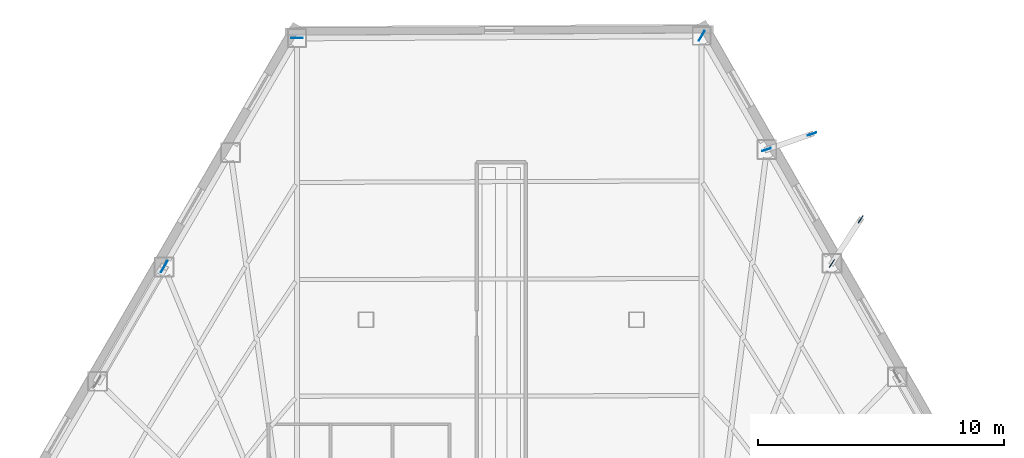
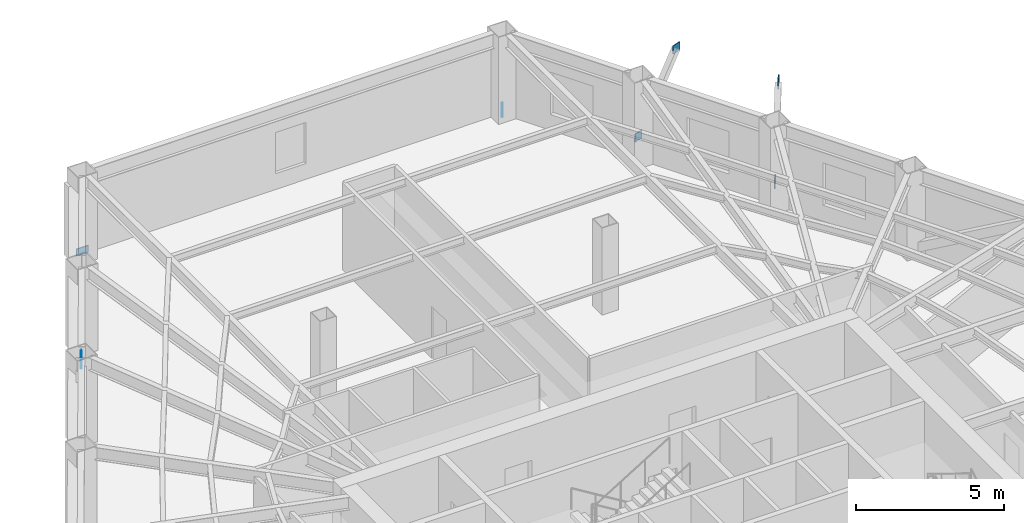
# One storey, part 7 of 12: 7 plates.
"""IFC4 building model written with IfcOpenShell, lengths in metres."""

import ifcopenshell
import ifcopenshell.guid

model = None  # the IFC model being written
_history = None  # IfcOwnerHistory: only IFC2X3 demands one
_inside = {}  # id of a spatial element -> (the spatial element, [elements in it])
_under = {}  # id of a project, library or spatial element -> (it, [spatial elements below it])
_declared = {}  # id of a project -> (the project, [libraries it declares])
_typed = {}  # id of a type object -> (the type object, [elements of that type])
_made_of = {}  # id of a material, layer set ... -> (it, [elements and type objects made of it])


def new_model(schema):
    """Start an empty IFC model of exactly this schema.

    Asked for "IFC4X3", IfcOpenShell would pick the latest addendum, in which some entities
    have other attributes; the version numbers below select the first issue.
    IFC2X3 requires an IfcOwnerHistory on every rooted entity: one is made here for all.
    """
    global model, _history
    if schema == "IFC4X3":
        model = ifcopenshell.file(schema_version=(4, 3, 0, 0))
    else:
        model = ifcopenshell.file(schema=schema)
    _inside.clear()
    _under.clear()
    _declared.clear()
    _typed.clear()
    _made_of.clear()
    _history = None
    if model.schema == "IFC2X3":
        org = make("IfcOrganization", Name="unknown")
        user = make(
            "IfcPersonAndOrganization",
            ThePerson=make("IfcPerson", FamilyName="unknown"),
            TheOrganization=org,
        )
        app = make(
            "IfcApplication",
            ApplicationDeveloper=org,
            Version="unknown",
            ApplicationFullName="unknown",
            ApplicationIdentifier="unknown",
        )
        _history = make(
            "IfcOwnerHistory",
            OwningUser=user,
            OwningApplication=app,
            ChangeAction="ADDED",
            CreationDate=0,
        )
    return model


def make(cls, **values):
    """One entity of the class cls with the attributes given. An attribute that is None is left unset."""
    return model.create_entity(
        cls, **{name: value for name, value in values.items() if value is not None}
    )


def rooted(cls, **values):
    """An entity with a GlobalId (a new one), such as an element, a storey or a relation."""
    return make(cls, GlobalId=ifcopenshell.guid.new(), OwnerHistory=_history, **values)


def si_unit(unit_type, name, prefix=None):
    """IfcSIUnit, for example si_unit("LENGTHUNIT", "METRE", prefix="MILLI")."""
    return make("IfcSIUnit", UnitType=unit_type, Prefix=prefix, Name=name)


def assignment(units):
    """IfcUnitAssignment: the units of a project."""
    return None if units is None else make("IfcUnitAssignment", Units=units)


def point(xyz):
    """IfcCartesianPoint."""
    return None if xyz is None else make("IfcCartesianPoint", Coordinates=xyz)


def direction(xyz):
    """IfcDirection."""
    return None if xyz is None else make("IfcDirection", DirectionRatios=xyz)


def frame(location, z_axis=None, x_axis=None):
    """IfcAxis2Placement3D, a coordinate frame: its origin and axes. An axis left out is left unset."""
    return make(
        "IfcAxis2Placement3D",
        Location=point(location),
        Axis=direction(z_axis),
        RefDirection=direction(x_axis),
    )


def frame_2d(location, x_axis=None):
    """IfcAxis2Placement2D, a coordinate frame in the plane: its origin and x axis."""
    return make(
        "IfcAxis2Placement2D", Location=point(location), RefDirection=direction(x_axis)
    )


def origin():
    """The frame at (0, 0, 0) with its axes left unset."""
    return frame((0.0, 0.0, 0.0))


def origin_2d():
    """The frame at (0, 0) in the plane with its x axis left unset."""
    return frame_2d((0.0, 0.0))


def place(relative_to, where):
    """IfcLocalPlacement: puts the frame where relative to a parent placement (None: the world)."""
    return make(
        "IfcLocalPlacement", PlacementRelTo=relative_to, RelativePlacement=where
    )


def context(
    kind, dimensions, precision=None, world=None, true_north=None, identifier=None
):
    """IfcGeometricRepresentationContext, for example the 3D "Model" context."""
    return make(
        "IfcGeometricRepresentationContext",
        ContextIdentifier=identifier,
        ContextType=kind,
        CoordinateSpaceDimension=dimensions,
        Precision=precision,
        WorldCoordinateSystem=world,
        TrueNorth=true_north,
    )


def subcontext(parent, identifier, kind, view, scale=None):
    """IfcGeometricRepresentationSubContext, for example "Body" below "Model"."""
    return make(
        "IfcGeometricRepresentationSubContext",
        ContextIdentifier=identifier,
        ContextType=kind,
        ParentContext=parent,
        TargetScale=scale,
        TargetView=view,
    )


def project(units=None, contexts=None):
    """IfcProject with its units and contexts."""
    return rooted(
        "IfcProject",
        Name="project",
        RepresentationContexts=contexts,
        UnitsInContext=assignment(units),
    )


def spatial(cls, under=None, at=None, **own):
    """A site, building, storey or space (cls), placed at a placement, below another one or the project."""
    s = rooted(cls, ObjectPlacement=at, **own)
    if under is not None:
        _under.setdefault(under.id(), (under, []))[1].append(s)
    return s


def profile(cls, at=None, kind="AREA", **sizes):
    """A parametric profile (cls). Its sizes go by their IFC names, for example OverallWidth=200.0."""
    return make(cls, ProfileType=kind, Position=at, **sizes)


def rectangle(**sizes):
    """IfcRectangleProfileDef."""
    return profile("IfcRectangleProfileDef", **sizes)


def extrude(swept, where, along, depth):
    """IfcExtrudedAreaSolid: the profile swept, set in the frame where, extruded along a direction by depth."""
    return make(
        "IfcExtrudedAreaSolid",
        SweptArea=swept,
        Position=where,
        ExtrudedDirection=direction(along),
        Depth=depth,
    )


def shape(context_of_items, identifier, shape_type, items):
    """IfcShapeRepresentation: the items that make up one representation, for example the "Body"."""
    return make(
        "IfcShapeRepresentation",
        ContextOfItems=context_of_items,
        RepresentationIdentifier=identifier,
        RepresentationType=shape_type,
        Items=items,
    )


def material(Name=None, Category=None):
    """IfcMaterial."""
    return make("IfcMaterial", Name=Name, Category=Category)


def layer(
    of_material, thickness, ventilated=None, Name=None, Category=None, Priority=None
):
    """IfcMaterialLayer: one layer of a wall or slab, of a material (None: an air gap)."""
    return make(
        "IfcMaterialLayer",
        Material=of_material,
        LayerThickness=thickness,
        IsVentilated=ventilated,
        Name=Name,
        Category=Category,
        Priority=Priority,
    )


def layer_set(layers, Name=None):
    """IfcMaterialLayerSet."""
    return make("IfcMaterialLayerSet", MaterialLayers=layers, LayerSetName=Name)


def made_of(thing, what):
    """Note that an element or type object is made of a material, layer set ...; save() writes the relation."""
    if what is not None:
        _made_of.setdefault(what.id(), (what, []))[1].append(thing)
    return thing


def type_object(cls, material=None, **own):
    """A type object (cls), such as IfcWallType, which elements share."""
    return made_of(rooted(cls, **own), material)


def element(
    cls,
    number,
    at=None,
    inside=None,
    cuts=None,
    type_object=None,
    material=None,
    context=None,
    identifier="Body",
    shape_type=None,
    held_by="IfcProductDefinitionShape",
    body=None,
    shapes=None,
    **own,
):
    """One element of the class cls, such as IfcWall. Its Tag is "e" and its number.

    at: its placement. inside: the storey or other place that contains it. cuts: it is an
    opening in that element (IfcRelVoidsElement). A single representation is given by context,
    identifier, shape_type and body (its items); several are given by shapes. held_by: the class
    of the entity that holds the representations. save() writes the other relations.
    """
    e = rooted(cls, Tag="e%d" % number, ObjectPlacement=at, **own)
    if body is not None:
        shapes = [shape(context, identifier, shape_type, body)]
    if shapes is not None:
        e.Representation = make(held_by, Representations=shapes)
    if inside is not None:
        _inside.setdefault(inside.id(), (inside, []))[1].append(e)
    if cuts is not None:
        rooted(
            "IfcRelVoidsElement", RelatingBuildingElement=cuts, RelatedOpeningElement=e
        )
    if type_object is not None:
        _typed.setdefault(type_object.id(), (type_object, []))[1].append(e)
    return made_of(e, material)


def aggregate(whole, parts):
    """IfcRelAggregates: a whole, such as a stair, and the parts it consists of."""
    return rooted("IfcRelAggregates", RelatingObject=whole, RelatedObjects=parts)


def save(model, path):
    """Write the relations noted so far, then the file.

    IfcRelAggregates (storeys below a building ...), IfcRelContainedInSpatialStructure (elements
    in a storey), IfcRelDefinesByType, IfcRelAssociatesMaterial and IfcRelDeclares: one each for
    every whole, place, type object, material and project.
    """
    for whole, parts in _under.values():
        aggregate(whole, parts)
    for where, things in _inside.values():
        rooted(
            "IfcRelContainedInSpatialStructure",
            RelatedElements=things,
            RelatingStructure=where,
        )
    for kind, things in _typed.values():
        rooted("IfcRelDefinesByType", RelatedObjects=things, RelatingType=kind)
    for what, things in _made_of.values():
        rooted("IfcRelAssociatesMaterial", RelatedObjects=things, RelatingMaterial=what)
    for by, libraries in _declared.values():
        rooted("IfcRelDeclares", RelatingContext=by, RelatedDefinitions=libraries)
    model.write(path)


model = new_model("IFC4")

# Units and contexts
model_context = context("Model", 3, precision=1e-05, world=origin(), true_north=direction((0.0, 1.0)))
body_context = subcontext(model_context, "Body", "Model", "MODEL_VIEW")
ifc_project = project(units=[si_unit("LENGTHUNIT", "METRE"), si_unit("AREAUNIT", "SQUARE_METRE"), si_unit("VOLUMEUNIT", "CUBIC_METRE"), si_unit("PLANEANGLEUNIT", "RADIAN"), si_unit("MASSUNIT", "GRAM", prefix="KILO")], contexts=[model_context])

# Site, building, storey
site_placement = place(None, origin())
site = spatial("IfcSite", under=ifc_project, at=site_placement, CompositionType="ELEMENT")
building_placement = place(site_placement, origin())
building = spatial("IfcBuilding", under=site, at=building_placement, Name="Kavelnor Concourse Tower", CompositionType="ELEMENT")
storey_placement = place(building_placement, frame((0.0, 0.0, 6.0)))
storey = spatial("IfcBuildingStorey", under=building, at=storey_placement, Name="L01", CompositionType="ELEMENT", Elevation=6.0)

# Plates
ifc_material = material(Name="Steel Grade 350", Category="steel")
ifc_layer_1 = layer(ifc_material, 0.028076171875, Name="Steel Grade 350")
ifc_layer_set_1 = layer_set([ifc_layer_1], Name="Steel Grade 350")
plate_type_1 = type_object("IfcPlateType", Name="PL-GUSSET-FOLD", PredefinedType="USERDEFINED", material=ifc_layer_set_1)
for number, where, z_axis, x_axis, name in (
    (1, (29.694580078125, 43.248779296875, 0.10009765625), (0.0, 0.0, 1.0), (1.0, 0.0, 0.0), "L01 Herringbone Corner-Fold Kink Gusset Plate F0-B0"),
    (2, (46.144775390625, 43.338623046875, 0.10009765625), (0.0, 0.0, 1.0), (-0.5, -0.866025403784, 0.0), "L01 Herringbone Corner-Fold Kink Gusset Plate F2-B6"),
):
    element("IfcPlate", number, at=place(storey_placement, frame(where, z_axis=z_axis, x_axis=x_axis)), inside=storey, type_object=plate_type_1, Name=name, ObjectType="GUSSET_PLATE", PredefinedType="USERDEFINED", context=body_context, shape_type="SweptSolid", body=[
        extrude(rectangle(XDim=0.4599609375, YDim=0.028076171875, at=origin_2d()), origin(), (0.0, 0.0, 1.0), 0.300048828125),
    ])
for number, where, z_axis, x_axis, name in (
    (3, (51.440185546875, 34.086669921875, 0.8798828125), (0.0, 0.0, 1.0), (0.545809508754, 0.837909291125, 0.0), "L01 Balcony Strut Gusset GP4 1-A End Gusset A"),
    (4, (52.61181640625, 35.885009765625, 3.48486328125), (0.0, 0.0, 1.0), (0.545809508754, 0.837909291125, 0.0), "L01 Balcony Strut Gusset GP4 1-A End Gusset B"),
    (5, (48.784423828125, 38.7138671875, 0.8798828125), (0.0, 0.0, 1.0), (0.945234103797, 0.326393150999, 0.0), "L01 Balcony Strut Gusset GP4 1-B End Gusset A"),
    (6, (50.631591796875, 39.3515625, 3.48486328125), (0.0, 0.0, 1.0), (0.945234103797, 0.326393150999, 0.0), "L01 Balcony Strut Gusset GP4 1-B End Gusset B"),
):
    element("IfcPlate", number, at=place(storey_placement, frame(where, z_axis=z_axis, x_axis=x_axis)), inside=storey, type_object=plate_type_1, Name=name, ObjectType="GUSSET_PLATE", PredefinedType="USERDEFINED", context=body_context, shape_type="SweptSolid", body=[
        extrude(rectangle(XDim=0.360107421875, YDim=0.028076171875, at=origin_2d()), origin(), (0.0, 0.0, 1.0), 0.340087890625),
    ])
ifc_layer_2 = layer(ifc_material, 0.031982421875, Name="Steel Grade 350")
ifc_layer_set_2 = layer_set([ifc_layer_2], Name="Steel Grade 350")
plate_type_2 = type_object("IfcPlateType", Name="PL-GUSSET-TUBE-Z1", PredefinedType="USERDEFINED", material=ifc_layer_set_2)
plate_placement = place(storey_placement, frame((24.295654296875, 33.9560546875, 3.073974609375), z_axis=(0.0, 0.0, 1.0), x_axis=(0.502416446459, 0.864625765478, 0.0)))
element("IfcPlate", 7, at=plate_placement, inside=storey, type_object=plate_type_2, Name="L01 Tube Brace Gusset GP3 F0-B2 End Gusset B", ObjectType="GUSSET_PLATE", PredefinedType="USERDEFINED", context=body_context, shape_type="SweptSolid", body=[
    extrude(rectangle(XDim=0.52001953125, YDim=0.031982421875, at=origin_2d()), origin(), (0.0, 0.0, 1.0), 0.419921875),
])

save(model, "model.ifc")
